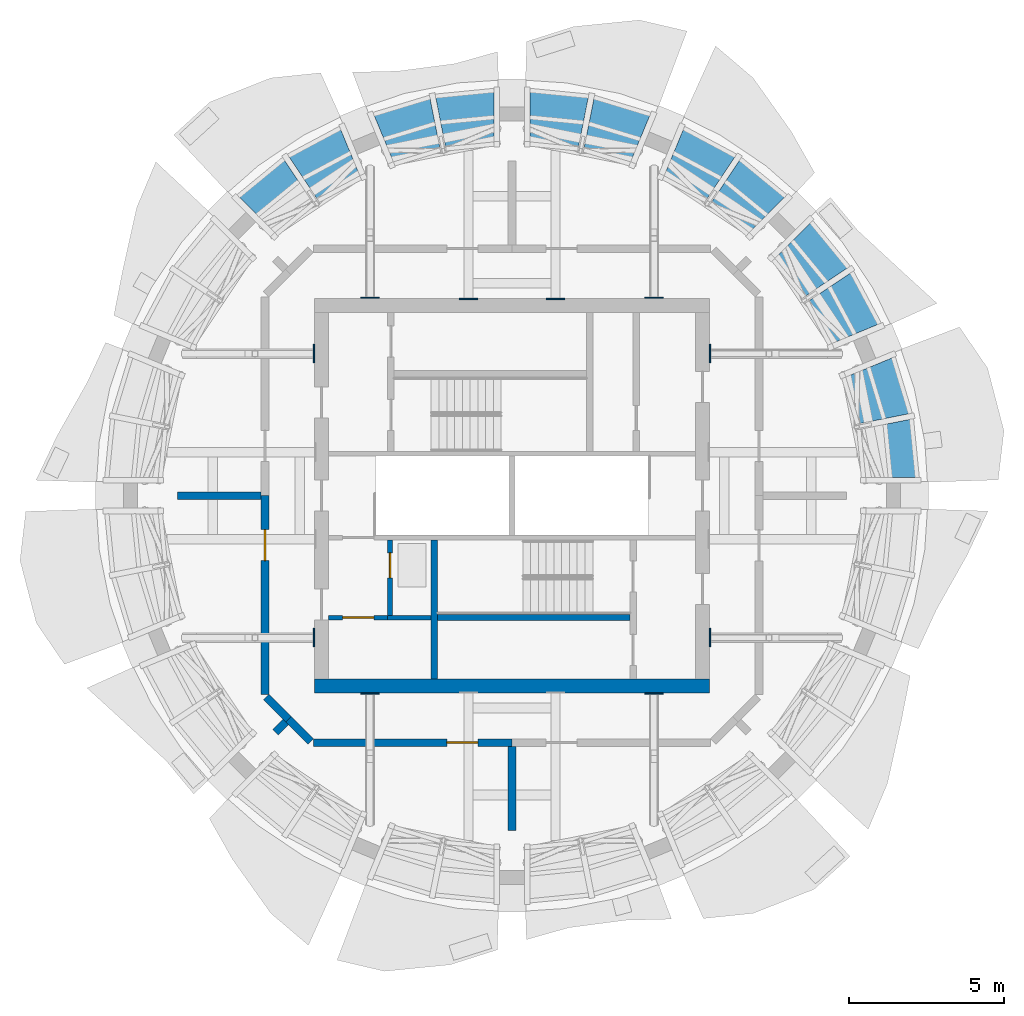
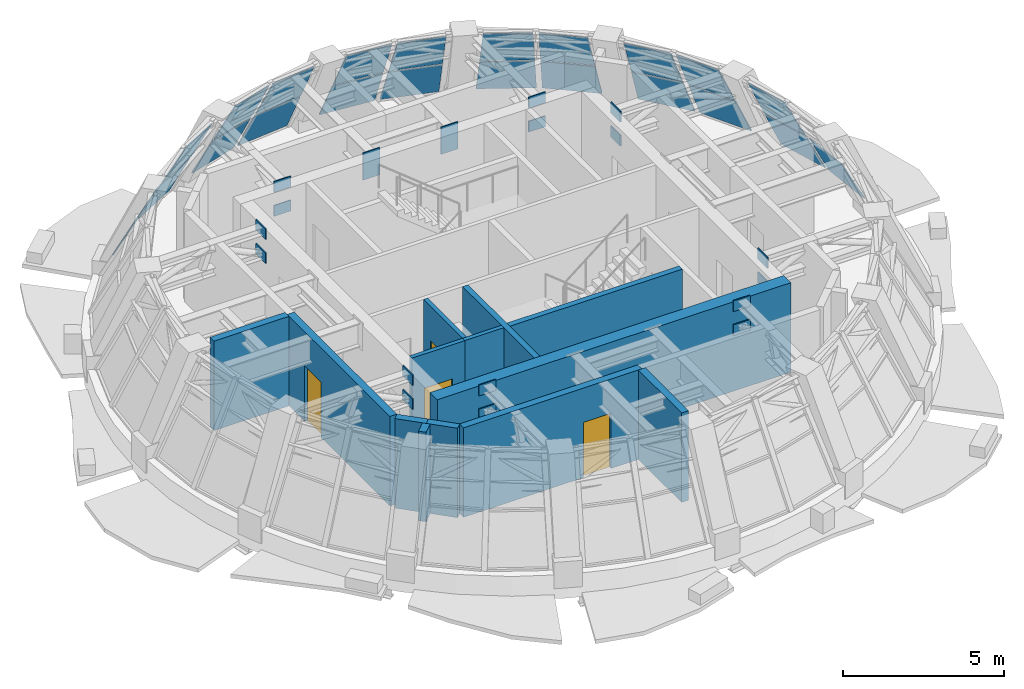
# One storey, part 8 of 12: 40 plates, 13 walls, 4 doors, 4 openings, 6 elements without a shape of their own.
"""IFC4 building model written with IfcOpenShell, lengths in metres."""

from ifc_helpers import new_model, si_unit, direction, frame, frame_2d, origin, origin_2d, place, context, subcontext, project, spatial, polyline, rectangle, outline, extrude, material, layer, layer_set, type_object, element, fill, aggregate, save


model = new_model("IFC4")

# Units and contexts
model_context = context("Model", 3, precision=1e-05, world=origin(), true_north=direction((0.0, 1.0)))
body_context = subcontext(model_context, "Body", "Model", "MODEL_VIEW")
ifc_project = project(units=[si_unit("LENGTHUNIT", "METRE"), si_unit("AREAUNIT", "SQUARE_METRE"), si_unit("VOLUMEUNIT", "CUBIC_METRE"), si_unit("PLANEANGLEUNIT", "RADIAN"), si_unit("MASSUNIT", "GRAM", prefix="KILO")], contexts=[model_context])

# Site, building, storey
site_placement = place(None, origin())
site = spatial("IfcSite", under=ifc_project, at=site_placement, CompositionType="ELEMENT")
building_placement = place(site_placement, origin())
building = spatial("IfcBuilding", under=site, at=building_placement, Name="Polderwave Tower", CompositionType="ELEMENT")
storey_placement = place(building_placement, frame((0.0, 0.0, 235.39990234375)))
storey = spatial("IfcBuildingStorey", under=building, at=storey_placement, Name="L64", CompositionType="ELEMENT", Elevation=235.39990234375)

# Plates
ifc_material_1 = material(Name="Steel S355", Category="steel")
ifc_layer_1 = layer(ifc_material_1, 0.0400390625)
ifc_layer_set_1 = layer_set([ifc_layer_1], Name="CAST-IN PLATE 40")
plate_type_1 = type_object("IfcPlateType", Name="CAST-IN PLATE 40", PredefinedType="SHEET", material=ifc_layer_set_1)
for number, where, z_axis, x_axis, name in (
    (1, (6.3701171875, 4.571044921875, 3.05029296875), (0.0, 0.0, 1.0), (1.0, 0.0, 0.0), "Cast-in plate CP-L64-01T 40"),
    (2, (6.3701171875, 4.571044921875, 2.14013671875), (0.0, 0.0, 1.0), (1.0, 0.0, 0.0), "Cast-in plate CP-L64-01B 40"),
    (3, (4.571044921875, 6.3701171875, 3.05029296875), (0.0, 0.0, 1.0), (0.0, 1.0, 0.0), "Cast-in plate CP-L64-03T 40"),
    (4, (4.571044921875, 6.3701171875, 2.14013671875), (0.0, 0.0, 1.0), (0.0, 1.0, 0.0), "Cast-in plate CP-L64-03B 40"),
    (5, (-4.571044921875, 6.3701171875, 3.05029296875), (0.0, 0.0, 1.0), (0.0, 1.0, 0.0), "Cast-in plate CP-L64-05T 40"),
    (6, (-4.571044921875, 6.3701171875, 2.14013671875), (0.0, 0.0, 1.0), (0.0, 1.0, 0.0), "Cast-in plate CP-L64-05B 40"),
    (7, (-6.3701171875, 4.571044921875, 3.05029296875), (0.0, 0.0, 1.0), (1.0, 0.0, 0.0), "Cast-in plate CP-L64-07T 40"),
    (8, (-6.3701171875, 4.571044921875, 2.14013671875), (0.0, 0.0, 1.0), (1.0, 0.0, 0.0), "Cast-in plate CP-L64-07B 40"),
    (9, (-6.3701171875, -4.571044921875, 3.05029296875), (0.0, 0.0, 1.0), (1.0, 0.0, 0.0), "Cast-in plate CP-L64-09T 40"),
    (10, (-6.3701171875, -4.571044921875, 2.14013671875), (0.0, 0.0, 1.0), (1.0, 0.0, 0.0), "Cast-in plate CP-L64-09B 40"),
    (11, (-4.571044921875, -6.3701171875, 3.05029296875), (0.0, 0.0, 1.0), (0.0, 1.0, 0.0), "Cast-in plate CP-L64-11T 40"),
    (12, (-4.571044921875, -6.3701171875, 2.14013671875), (0.0, 0.0, 1.0), (0.0, 1.0, 0.0), "Cast-in plate CP-L64-11B 40"),
    (13, (4.571044921875, -6.3701171875, 3.05029296875), (0.0, 0.0, 1.0), (0.0, 1.0, 0.0), "Cast-in plate CP-L64-13T 40"),
    (14, (4.571044921875, -6.3701171875, 2.14013671875), (0.0, 0.0, 1.0), (0.0, 1.0, 0.0), "Cast-in plate CP-L64-13B 40"),
    (15, (6.3701171875, -4.571044921875, 3.05029296875), (0.0, 0.0, 1.0), (1.0, 0.0, 0.0), "Cast-in plate CP-L64-15T 40"),
    (16, (6.3701171875, -4.571044921875, 2.14013671875), (0.0, 0.0, 1.0), (1.0, 0.0, 0.0), "Cast-in plate CP-L64-15B 40"),
):
    element("IfcPlate", number, at=place(storey_placement, frame(where, z_axis=z_axis, x_axis=x_axis)), inside=storey, type_object=plate_type_1, Name=name, PredefinedType="SHEET", context=body_context, shape_type="SweptSolid", body=[
        extrude(rectangle(XDim=0.0400390625, YDim=0.60009765625, at=origin_2d()), origin(), (0.0, 0.0, 1.0), 0.409912109375),
    ])
for number, where, z_axis, x_axis, name in (
    (17, (1.39990234375, 6.330078125, 2.43017578125), (0.0, 0.0, 1.0), (0.0, 1.0, 0.0), "Cast-in plate CP-DS-2-1 40"),
    (18, (-1.39990234375, 6.330078125, 2.43017578125), (0.0, 0.0, 1.0), (0.0, 1.0, 0.0), "Cast-in plate CP-DS-2-2 40"),
):
    element("IfcPlate", number, at=place(storey_placement, frame(where, z_axis=z_axis, x_axis=x_axis)), inside=storey, type_object=plate_type_1, Name=name, PredefinedType="SHEET", context=body_context, shape_type="SweptSolid", body=[
        extrude(rectangle(XDim=0.0400390625, YDim=0.60009765625, at=origin_2d()), origin(), (0.0, 0.0, 1.0), 1.030029296875),
    ])

# Curtain wall, plates
ifc_material_2 = material(Name="Aluminium 6063-T6 and glass", Category="aluminium")
curtain_wall_type = type_object("IfcCurtainWallType", Name="Crown facet glazing wall", PredefinedType="NOTDEFINED", material=ifc_material_2)
curtain_wall_1_placement = place(storey_placement, origin())
curtain_wall_1 = element("IfcCurtainWall", 19, at=curtain_wall_1_placement, inside=storey, type_object=curtain_wall_type, Name="CROWN CW6 L64 00", PredefinedType="NOTDEFINED")
ifc_material_3 = material(Name="Glass, low-e laminated double glazing", Category="glass")
ifc_layer_2 = layer(ifc_material_3, 0.0400390625)
ifc_layer_set_2 = layer_set([ifc_layer_2], Name="Crown facet glazing glass panel 40 mm")
plate_type_2 = type_object("IfcPlateType", Name="Crown facet glazing glass panel 40 mm", PredefinedType="CURTAIN_PANEL", material=ifc_layer_set_2)
plate_1_placement = place(storey_placement, frame((13.0205078125, 0.583984375, 0.080078125), z_axis=(0.883979196046, 0.086804251602, 0.459397216864), x_axis=(-0.097742044101, 0.995211782474, 2.8993647e-05)))
plate_1 = element("IfcPlate", 20, at=plate_1_placement, type_object=plate_type_2, Name="CROWN CW6 panel 1", PredefinedType="CURTAIN_PANEL", context=body_context, shape_type="SweptSolid", body=[
    extrude(outline(polyline([(0.0, 0.0), (1.88476742383816, 1.3877787807814457e-17), (1.8041472456302867, 1.7791206004409728), (0.08032028399320461, 1.778963530574836), (0.0, 0.0)])), origin(), (0.0, 0.0, -1.0), 0.0400390625),
])
plate_2_placement = place(storey_placement, frame((12.80029296875, 2.640380859375, 0.080078125), z_axis=(0.849834146821, 0.257843989798, 0.459672056821), x_axis=(-0.290327239265, 0.956927423496, -1.7367038e-05)))
plate_2 = element("IfcPlate", 21, at=plate_2_placement, type_object=plate_type_2, Name="CROWN CW6 panel 3", PredefinedType="CURTAIN_PANEL", context=body_context, shape_type="SweptSolid", body=[
    extrude(outline(polyline([(0.0, 0.0), (1.8838586696898987, -5.551115123125783e-17), (1.8035949338426587, 1.7789498352742303), (0.0804581299084255, 1.7791542042628368), (0.0, 0.0)])), origin(), (0.0, 0.0, -1.0), 0.0400390625),
])
plate_3_placement = place(storey_placement, frame((11.95361328125, 2.471923828125, 1.739990234375), z_axis=(0.849951494095, 0.257691708644, 0.459540467186), x_axis=(-0.290142041035, 0.956983592348, -1.64901e-07)))
plate_3 = element("IfcPlate", 22, at=plate_3_placement, type_object=plate_type_2, Name="CROWN CW6 panel 4", PredefinedType="CURTAIN_PANEL", context=body_context, shape_type="SweptSolid", body=[
    extrude(outline(polyline([(0.0, 0.0), (1.7148811492663976, 0.0), (1.6344154888629905, 1.7790533572400653), (0.08025621289179957, 1.7790527502893385), (0.0, 0.0)])), origin(), (0.0, 0.0, -1.0), 0.0400390625),
])
aggregate(curtain_wall_1, [plate_1, plate_2, plate_3])

curtain_wall_2_placement = place(storey_placement, origin())
curtain_wall_2 = element("IfcCurtainWall", 23, at=curtain_wall_2_placement, inside=storey, type_object=curtain_wall_type, Name="CROWN CW6 L64 01", PredefinedType="NOTDEFINED")
plate_4_placement = place(storey_placement, frame((11.806396484375, 5.522216796875, 0.080078125), z_axis=(0.783326056023, 0.418707429209, 0.459439200201), x_axis=(-0.4714053119, 0.881916680819, -2.181884e-06)))
plate_4 = element("IfcPlate", 24, at=plate_4_placement, type_object=plate_type_2, Name="CROWN CW6 panel 1", PredefinedType="CURTAIN_PANEL", context=body_context, shape_type="SweptSolid", body=[
    extrude(outline(polyline([(0.0, 0.0), (1.8846515363826488, 0.0), (1.8041349982427501, 1.7789525519547347), (0.08058760254317152, 1.7789436884205614), (0.0, 0.0)])), origin(), (0.0, 0.0, -1.0), 0.0400390625),
])
plate_5_placement = place(storey_placement, frame((11.009033203125, 5.192138671875, 1.739990234375), z_axis=(0.783289613539, 0.418834323299, 0.459385666895), x_axis=(-0.471532714121, 0.881848569483, -3.856099e-06)))
plate_5 = element("IfcPlate", 25, at=plate_5_placement, type_object=plate_type_2, Name="CROWN CW6 panel 2", PredefinedType="CURTAIN_PANEL", context=body_context, shape_type="SweptSolid", body=[
    extrude(outline(polyline([(0.0, 0.0), (1.7153617232417329, 0.0), (1.6349606159429435, 1.7791746229543697), (0.08091832481942067, 1.7788855696995238), (0.0, 0.0)])), origin(), (0.0, 0.0, -1.0), 0.0400390625),
])
plate_6_placement = place(storey_placement, frame((10.815673828125, 7.33740234375, 0.080078125), z_axis=(0.686398662579, 0.563593472313, 0.459585981048), x_axis=(-0.634569207591, 0.772866042559, -3.2205409e-05)))
plate_6 = element("IfcPlate", 26, at=plate_6_placement, type_object=plate_type_2, Name="CROWN CW6 panel 3", PredefinedType="CURTAIN_PANEL", context=body_context, shape_type="SweptSolid", body=[
    extrude(outline(polyline([(0.0, 0.0), (1.884187342147213, -1.1102230246251565e-16), (1.8037784308601756, 1.7791656388283776), (0.08076893942596736, 1.7790348349818563), (0.0, 0.0)])), origin(), (0.0, 0.0, -1.0), 0.0400390625),
])
plate_7_placement = place(storey_placement, frame((10.097900390625, 6.85791015625, 1.739990234375), z_axis=(0.686391961849, 0.563601634084, 0.459585979734), x_axis=(-0.634577034153, 0.772859616268, -3.5612988e-05)))
plate_7 = element("IfcPlate", 27, at=plate_7_placement, type_object=plate_type_2, Name="CROWN CW6 panel 4", PredefinedType="CURTAIN_PANEL", context=body_context, shape_type="SweptSolid", body=[
    extrude(outline(polyline([(0.0, 0.0), (1.7148839594572038, 0.0), (1.6344779456166028, 1.779165769711965), (0.08077183386171753, 1.779034703507517), (0.0, 0.0)])), origin(), (0.0, 0.0, -1.0), 0.0400390625),
])
aggregate(curtain_wall_2, [plate_4, plate_5, plate_6, plate_7])

curtain_wall_3_placement = place(storey_placement, origin())
curtain_wall_3 = element("IfcCurtainWall", 28, at=curtain_wall_3_placement, inside=storey, type_object=curtain_wall_type, Name="CROWN CW6 L64 02", PredefinedType="NOTDEFINED")
plate_8_placement = place(storey_placement, frame((8.793701171875, 9.6201171875, 0.080078125), z_axis=(0.563593472313, 0.686398662579, 0.459585981048), x_axis=(-0.772866042559, 0.634569207591, 3.2205409e-05)))
plate_8 = element("IfcPlate", 29, at=plate_8_placement, type_object=plate_type_2, Name="CROWN CW6 panel 1", PredefinedType="CURTAIN_PANEL", context=body_context, shape_type="SweptSolid", body=[
    extrude(outline(polyline([(0.0, 0.0), (1.884187342147213, 1.1102230246251565e-16), (1.8034184027212457, 1.7790348349818563), (0.08040891128703725, 1.7791656388283779), (0.0, 0.0)])), origin(), (0.0, 0.0, -1.0), 0.0400390625),
])
plate_9_placement = place(storey_placement, frame((8.183349609375, 9.009765625, 1.739990234375), z_axis=(0.563601634084, 0.686391961849, 0.459585979734), x_axis=(-0.772859616268, 0.634577034153, 3.5612988e-05)))
plate_9 = element("IfcPlate", 30, at=plate_9_placement, type_object=plate_type_2, Name="CROWN CW6 panel 2", PredefinedType="CURTAIN_PANEL", context=body_context, shape_type="SweptSolid", body=[
    extrude(outline(polyline([(0.0, 0.0), (1.7148839594572038, 0.0), (1.634112125595486, 1.779034703507517), (0.08040601384060099, 1.779165769711965), (0.0, 0.0)])), origin(), (0.0, 0.0, -1.0), 0.0400390625),
])
plate_10_placement = place(storey_placement, frame((7.184326171875, 10.91796875, 0.080078125), z_axis=(0.418649889511, 0.783284372409, 0.459562685553), x_axis=(-0.881929699563, 0.471380955154, -1.2107912e-05)))
plate_10 = element("IfcPlate", 31, at=plate_10_placement, type_object=plate_type_2, Name="CROWN CW6 panel 3", PredefinedType="CURTAIN_PANEL", context=body_context, shape_type="SweptSolid", body=[
    extrude(outline(polyline([(0.0, 0.0), (1.8846515357497926, 5.551115123125783e-17), (1.8039488461659687, 1.778825787119907), (0.0804014486219184, 1.779051485393799), (0.0, 0.0)])), origin(), (0.0, 0.0, -1.0), 0.0400390625),
])
plate_11_placement = place(storey_placement, frame((6.704833984375, 10.2001953125, 1.739990234375), z_axis=(0.41880064982, 0.783220217637, 0.459534662887), x_axis=(-0.881847302101, 0.471535084325, 5.24834e-06)))
plate_11 = element("IfcPlate", 32, at=plate_11_placement, type_object=plate_type_2, Name="CROWN CW6 panel 4", PredefinedType="CURTAIN_PANEL", context=body_context, shape_type="SweptSolid", body=[
    extrude(outline(polyline([(0.0, 0.0), (1.7153617231902898, -5.551115123125783e-17), (1.6345435757042492, 1.7790373793332153), (0.08028598851199208, 1.7790567002635866), (0.0, 0.0)])), origin(), (0.0, 0.0, -1.0), 0.0400390625),
])
aggregate(curtain_wall_3, [plate_8, plate_9, plate_10, plate_11])

curtain_wall_4_placement = place(storey_placement, origin())
curtain_wall_4 = element("IfcCurtainWall", 33, at=curtain_wall_4_placement, inside=storey, type_object=curtain_wall_type, Name="CROWN CW6 L64 03", PredefinedType="NOTDEFINED")
plate_12_placement = place(storey_placement, frame((4.443115234375, 12.25341796875, 0.080078125), z_axis=(0.25783398541, 0.849908343607, 0.459540469856), x_axis=(-0.956935445082, 0.290300799063, 3.064597e-06)))
plate_12 = element("IfcPlate", 34, at=plate_12_placement, type_object=plate_type_2, Name="CROWN CW6 panel 1", PredefinedType="CURTAIN_PANEL", context=body_context, shape_type="SweptSolid", body=[
    extrude(outline(polyline([(0.0, 0.0), (1.883858670992548, 2.7755575615628914e-17), (1.8034714113692176, 1.7790468336591347), (0.08033461123179575, 1.7790592796453093), (0.0, 0.0)])), origin(), (0.0, 0.0, -1.0), 0.0400390625),
])
plate_13_placement = place(storey_placement, frame((4.113037109375, 11.4560546875, 1.739990234375), z_axis=(0.25781805234, 0.849964812061, 0.459444958778), x_axis=(-0.956953422647, 0.290241526966, 5.3940491e-05)))
plate_13 = element("IfcPlate", 35, at=plate_13_placement, type_object=plate_type_2, Name="CROWN CW6 panel 2", PredefinedType="CURTAIN_PANEL", context=body_context, shape_type="SweptSolid", body=[
    extrude(outline(polyline([(0.0, 0.0), (1.714881137447886, -2.7755575615628914e-17), (1.6344621444287317, 1.7791296982581255), (0.08046563732093255, 1.7790533468918674), (0.0, 0.0)])), origin(), (0.0, 0.0, -1.0), 0.0400390625),
])
plate_14_placement = place(storey_placement, frame((2.459716796875, 12.836181640625, 0.080078125), z_axis=(0.086795959004, 0.883894891291, 0.459560967284), x_axis=(-0.995211782647, 0.097742042329, -2.9007669e-05)))
plate_14 = element("IfcPlate", 36, at=plate_14_placement, type_object=plate_type_2, Name="CROWN CW6 panel 3", PredefinedType="CURTAIN_PANEL", context=body_context, shape_type="SweptSolid", body=[
    extrude(outline(polyline([(0.0, 0.0), (1.8847674238372056, -1.3877787807814457e-17), (1.8044232634215231, 1.7788583484237588), (0.08059630178165893, 1.7790153762987813), (0.0, 0.0)])), origin(), (0.0, 0.0, -1.0), 0.0400390625),
])
plate_15_placement = place(storey_placement, frame((2.29150390625, 11.989501953125, 1.739990234375), z_axis=(0.087019870387, 0.883870113035, 0.459566279705), x_axis=(-0.995187205863, 0.097991962437, -2.4164632e-05)))
plate_15 = element("IfcPlate", 37, at=plate_15_placement, type_object=plate_type_2, Name="CROWN CW6 panel 4", PredefinedType="CURTAIN_PANEL", context=body_context, shape_type="SweptSolid", body=[
    extrude(outline(polyline([(0.0, 0.0), (1.7157851025210837, -1.3877787807814457e-17), (1.635243275633983, 1.7788494112783537), (0.08064163201082405, 1.779035319229905), (0.0, 0.0)])), origin(), (0.0, 0.0, -1.0), 0.0400390625),
])
aggregate(curtain_wall_4, [plate_12, plate_13, plate_14, plate_15])

curtain_wall_5_placement = place(storey_placement, origin())
curtain_wall_5 = element("IfcCurtainWall", 38, at=curtain_wall_5_placement, inside=storey, type_object=curtain_wall_type, Name="CROWN CW6 L64 04", PredefinedType="NOTDEFINED")
plate_16_placement = place(storey_placement, frame((-0.583984375, 13.0205078125, 0.080078125), z_axis=(-0.086804251602, 0.883979196046, 0.459397216864), x_axis=(-0.995211782474, -0.097742044101, 2.8993647e-05)))
plate_16 = element("IfcPlate", 39, at=plate_16_placement, type_object=plate_type_2, Name="CROWN CW6 panel 1", PredefinedType="CURTAIN_PANEL", context=body_context, shape_type="SweptSolid", body=[
    extrude(outline(polyline([(0.0, 0.0), (1.88476742383816, 1.3877787807814457e-17), (1.8041472456302867, 1.7791206004409728), (0.08032028399320461, 1.778963530574836), (0.0, 0.0)])), origin(), (0.0, 0.0, -1.0), 0.0400390625),
])
plate_17_placement = place(storey_placement, frame((-0.583984375, 12.15771484375, 1.739990234375), z_axis=(-0.087028185763, 0.883954415034, 0.459402532671), x_axis=(-0.995187205388, -0.097991967269, 2.4151206e-05)))
plate_17 = element("IfcPlate", 40, at=plate_17_placement, type_object=plate_type_2, Name="CROWN CW6 panel 2", PredefinedType="CURTAIN_PANEL", context=body_context, shape_type="SweptSolid", body=[
    extrude(outline(polyline([(0.0, 0.0), (1.7157851025220294, 0.0), (1.635119535343941, 1.7791405389208705), (0.08051789172352956, 1.7789545992694515), (0.0, 0.0)])), origin(), (0.0, 0.0, -1.0), 0.0400390625),
])
plate_18_placement = place(storey_placement, frame((-2.640380859375, 12.80029296875, 0.080078125), z_axis=(-0.257843989798, 0.849834146821, 0.459672056821), x_axis=(-0.956927423496, -0.290327239265, -1.7367038e-05)))
plate_18 = element("IfcPlate", 41, at=plate_18_placement, type_object=plate_type_2, Name="CROWN CW6 panel 3", PredefinedType="CURTAIN_PANEL", context=body_context, shape_type="SweptSolid", body=[
    extrude(outline(polyline([(0.0, 0.0), (1.8838586696898987, -5.551115123125783e-17), (1.8035949338426587, 1.7789498352742303), (0.0804581299084255, 1.7791542042628368), (0.0, 0.0)])), origin(), (0.0, 0.0, -1.0), 0.0400390625),
])
plate_19_placement = place(storey_placement, frame((-2.471923828125, 11.95361328125, 1.739990234375), z_axis=(-0.257691708644, 0.849951494095, 0.459540467186), x_axis=(-0.956983592348, -0.290142041035, -1.64901e-07)))
plate_19 = element("IfcPlate", 42, at=plate_19_placement, type_object=plate_type_2, Name="CROWN CW6 panel 4", PredefinedType="CURTAIN_PANEL", context=body_context, shape_type="SweptSolid", body=[
    extrude(outline(polyline([(0.0, 0.0), (1.7148811492663976, 0.0), (1.6344154888629905, 1.7790533572400653), (0.08025621289179957, 1.7790527502893385), (0.0, 0.0)])), origin(), (0.0, 0.0, -1.0), 0.0400390625),
])
aggregate(curtain_wall_5, [plate_16, plate_17, plate_18, plate_19])

curtain_wall_6_placement = place(storey_placement, origin())
curtain_wall_6 = element("IfcCurtainWall", 43, at=curtain_wall_6_placement, inside=storey, type_object=curtain_wall_type, Name="CROWN CW6 L64 05", PredefinedType="NOTDEFINED")
plate_20_placement = place(storey_placement, frame((-5.522216796875, 11.806396484375, 0.080078125), z_axis=(-0.418707429209, 0.783326056023, 0.459439200201), x_axis=(-0.881916680819, -0.4714053119, -2.181884e-06)))
plate_20 = element("IfcPlate", 44, at=plate_20_placement, type_object=plate_type_2, Name="CROWN CW6 panel 1", PredefinedType="CURTAIN_PANEL", context=body_context, shape_type="SweptSolid", body=[
    extrude(outline(polyline([(0.0, 0.0), (1.8846515363826488, 0.0), (1.8041349982427501, 1.7789525519547347), (0.08058760254317152, 1.7789436884205614), (0.0, 0.0)])), origin(), (0.0, 0.0, -1.0), 0.0400390625),
])
plate_21_placement = place(storey_placement, frame((-5.192138671875, 11.009033203125, 1.739990234375), z_axis=(-0.418834323299, 0.783289613539, 0.459385666895), x_axis=(-0.881848569483, -0.471532714121, -3.856099e-06)))
plate_21 = element("IfcPlate", 45, at=plate_21_placement, type_object=plate_type_2, Name="CROWN CW6 panel 2", PredefinedType="CURTAIN_PANEL", context=body_context, shape_type="SweptSolid", body=[
    extrude(outline(polyline([(0.0, 0.0), (1.7153617232417329, 0.0), (1.6349606159429435, 1.7791746229543697), (0.08091832481942067, 1.7788855696995238), (0.0, 0.0)])), origin(), (0.0, 0.0, -1.0), 0.0400390625),
])
plate_22_placement = place(storey_placement, frame((-7.33740234375, 10.815673828125, 0.080078125), z_axis=(-0.563593472313, 0.686398662579, 0.459585981048), x_axis=(-0.772866042559, -0.634569207591, -3.2205409e-05)))
plate_22 = element("IfcPlate", 46, at=plate_22_placement, type_object=plate_type_2, Name="CROWN CW6 panel 3", PredefinedType="CURTAIN_PANEL", context=body_context, shape_type="SweptSolid", body=[
    extrude(outline(polyline([(0.0, 0.0), (1.884187342147213, -1.1102230246251565e-16), (1.8037784308601756, 1.7791656388283776), (0.08076893942596736, 1.7790348349818563), (0.0, 0.0)])), origin(), (0.0, 0.0, -1.0), 0.0400390625),
])
aggregate(curtain_wall_6, [plate_20, plate_21, plate_22])

# Wall
ifc_material_4 = material(Name="Concrete C60/75", Category="concrete")
ifc_layer_3 = layer(ifc_material_4, 0.449951171875)
ifc_layer_set_3 = layer_set([ifc_layer_3], Name="CORE WALL 450 C60/75")
wall_type_1 = type_object("IfcWallType", Name="CORE WALL 450 C60/75", PredefinedType="SHEAR", material=ifc_layer_set_3)
wall_1_placement = place(storey_placement, frame((-6.35009765625, -6.125, 0.0), z_axis=(0.0, 0.0, 1.0), x_axis=(1.0, 0.0, 0.0)))
element("IfcWall", 47, at=wall_1_placement, inside=storey, type_object=wall_type_1, Name="ST-CORE-L64-S", PredefinedType="SHEAR", context=body_context, shape_type="SweptSolid", body=[
    extrude(rectangle(XDim=12.7001953125, YDim=0.449951171875, at=frame_2d((6.35009765625, 0.0))), origin(), (0.0, 0.0, 1.0), 3.400146484375),
])

# Wall, opening, door
ifc_material_5 = material(Name="Gypsum board partition")
ifc_layer_4 = layer(ifc_material_5, 0.14990234375)
ifc_layer_set_4 = layer_set([ifc_layer_4], Name="Core room partition 150")
wall_type_2 = type_object("IfcWallType", Name="Core room partition 150", PredefinedType="PARTITIONING", material=ifc_layer_set_4)
wall_2_placement = place(storey_placement, frame((-3.925048828125, -4.0, 0.0), z_axis=(0.0, 0.0, 1.0), x_axis=(0.0, 1.0, 0.0)))
wall_2 = element("IfcWall", 48, at=wall_2_placement, inside=storey, type_object=wall_type_2, Name="L64 lift shaft west wall", PredefinedType="PARTITIONING", context=body_context, shape_type="SweptSolid", body=[
    extrude(rectangle(XDim=2.574951171875, YDim=0.14990234375, at=frame_2d((1.28759765625, 0.0))), origin(), (0.0, 0.0, 1.0), 3.400146484375),
])
opening_1_placement = place(wall_2_placement, frame((1.35498046875, 0.0, 0.0)))
opening_1 = element("IfcOpeningElement", 49, at=opening_1_placement, cuts=wall_2, Name="Opening L64-D01", PredefinedType="OPENING", context=body_context, shape_type="SweptSolid", body=[
    extrude(rectangle(XDim=0.800048828125, YDim=2.10009765625, at=frame_2d((0.39990234375, 1.050048828125))), frame((0.0, 0.0849609375, 0.0), z_axis=(0.0, -1.0, 0.0), x_axis=(1.0, 0.0, 0.0)), (0.0, 0.0, 1.0), 0.169921875),
])
ifc_material_6 = material(Name="Stainless steel", Category="steel")
door_type_1 = type_object("IfcDoorType", Name="Service lift landing door 800", OperationType="DOUBLE_DOOR_SLIDING", PredefinedType="DOOR", material=ifc_material_6)
door_1_placement = place(opening_1_placement, origin())
door_1 = element("IfcDoor", 50, at=door_1_placement, inside=storey, type_object=door_type_1, Name="Crown service lift CL1 landing door", OperationType="DOUBLE_DOOR_SLIDING", OverallHeight=2.10009765625, OverallWidth=0.800048828125, PredefinedType="DOOR", context=body_context, shape_type="SweptSolid", body=[
    extrude(rectangle(XDim=0.800048828125, YDim=2.10009765625, at=frame_2d((0.39990234375, 1.050048828125))), frame((0.0, 0.02490234375, 0.0), z_axis=(0.0, -1.0, 0.0), x_axis=(1.0, 0.0, 0.0)), (0.0, 0.0, 1.0), 0.050048828125),
])
fill(opening_1, door_1)

# Wall
wall_3_placement = place(storey_placement, frame((-4.0, -3.925048828125, 0.0), z_axis=(0.0, 0.0, 1.0), x_axis=(1.0, 0.0, 0.0)))
element("IfcWall", 51, at=wall_3_placement, inside=storey, type_object=wall_type_2, Name="L64 lift shaft south wall", PredefinedType="PARTITIONING", context=body_context, shape_type="SweptSolid", body=[
    extrude(rectangle(XDim=1.39990234375, YDim=0.14990234375, at=frame_2d((0.699951171875, 0.0))), origin(), (0.0, 0.0, 1.0), 3.400146484375),
])

# Wall, opening, door
wall_4_placement = place(storey_placement, frame((-5.89990234375, -3.925048828125, 0.0), z_axis=(0.0, 0.0, 1.0), x_axis=(1.0, 0.0, 0.0)))
wall_4 = element("IfcWall", 52, at=wall_4_placement, inside=storey, type_object=wall_type_2, Name="L64 lift lobby south wall", PredefinedType="PARTITIONING", context=body_context, shape_type="SweptSolid", body=[
    extrude(rectangle(XDim=1.89990234375, YDim=0.14990234375, at=frame_2d((0.949951171875, 0.0))), origin(), (0.0, 0.0, 1.0), 3.400146484375),
])
opening_2_placement = place(wall_4_placement, frame((0.449951171875, 0.0, 0.0)))
opening_2 = element("IfcOpeningElement", 53, at=opening_2_placement, cuts=wall_4, Name="Opening L64-D03", PredefinedType="OPENING", context=body_context, shape_type="SweptSolid", body=[
    extrude(rectangle(XDim=1.0, YDim=2.10009765625, at=frame_2d((0.5, 1.050048828125))), frame((0.0, 0.0849609375, 0.0), z_axis=(0.0, -1.0, 0.0), x_axis=(1.0, 0.0, 0.0)), (0.0, 0.0, 1.0), 0.169921875),
])
ifc_material_7 = material(Name="Timber door leaf", Category="wood")
door_type_2 = type_object("IfcDoorType", Name="Room door 1000", OperationType="NOTDEFINED", PredefinedType="DOOR", material=ifc_material_7)
door_2_placement = place(opening_2_placement, frame((1.0, 0.0, 0.0), z_axis=(0.0, 0.0, 1.0), x_axis=(-1.0, 0.0, 0.0)))
door_2 = element("IfcDoor", 54, at=door_2_placement, inside=storey, type_object=door_type_2, Name="Plant room door", OperationType="SINGLE_SWING_LEFT", OverallHeight=2.10009765625, OverallWidth=1.0, PredefinedType="DOOR", context=body_context, shape_type="SweptSolid", body=[
    extrude(rectangle(XDim=1.0, YDim=2.10009765625, at=frame_2d((0.5, 1.050048828125))), frame((0.0, 0.02490234375, 0.0), z_axis=(0.0, -1.0, 0.0), x_axis=(1.0, 0.0, 0.0)), (0.0, 0.0, 1.0), 0.050048828125),
])
fill(opening_2, door_2)

# Walls
ifc_material_8 = material(Name="Concrete C50/60", Category="concrete")
ifc_layer_5 = layer(ifc_material_8, 0.199951171875)
ifc_layer_set_5 = layer_set([ifc_layer_5], Name="Core web wall 200")
wall_type_3 = type_object("IfcWallType", Name="Core web wall 200", PredefinedType="SHEAR", material=ifc_layer_set_5)
wall_5_placement = place(storey_placement, frame((3.800048828125, -3.925048828125, 0.0), z_axis=(0.0, 0.0, 1.0), x_axis=(-1.0, 0.0, 0.0)))
element("IfcWall", 55, at=wall_5_placement, inside=storey, type_object=wall_type_3, Name="L64 S crown stair end wall", PredefinedType="SHEAR", context=body_context, shape_type="SweptSolid", body=[
    extrude(rectangle(XDim=6.199951171875, YDim=0.199951171875, at=frame_2d((3.10009765625, 0.0))), origin(), (0.0, 0.0, 1.0), 3.400146484375),
])
wall_6_placement = place(storey_placement, frame((-2.5, -1.425048828125, 0.0), z_axis=(0.0, 0.0, 1.0), x_axis=(0.0, -1.0, 0.0)))
element("IfcWall", 56, at=wall_6_placement, inside=storey, type_object=wall_type_3, Name="L64 S crown stair east wall", PredefinedType="SHEAR", context=body_context, shape_type="SweptSolid", body=[
    extrude(rectangle(XDim=4.474853515625, YDim=0.199951171875, at=frame_2d((2.2373046875, 0.0))), origin(), (0.0, 0.0, 1.0), 3.400146484375),
])

# Wall, opening, door
ifc_material_9 = material(Name="Fire-resisting board on steel studs, mineral wool", Category="steel")
ifc_layer_6 = layer(ifc_material_9, 0.25)
ifc_layer_set_6 = layer_set([ifc_layer_6], Name="Plant room wall 250 mm EI 120")
wall_type_4 = type_object("IfcWallType", Name="Plant room wall 250 mm EI 120", PredefinedType="PARTITIONING", material=ifc_layer_set_6)
wall_7_placement = place(storey_placement, frame((-7.949951171875, -6.395263671875, 0.0), z_axis=(0.0, 0.0, 1.0), x_axis=(0.0, 1.0, 0.0)))
wall_7 = element("IfcWall", 57, at=wall_7_placement, inside=storey, type_object=wall_type_4, Name="IN-L64-W011", PredefinedType="PARTITIONING", context=body_context, shape_type="SweptSolid", body=[
    extrude(rectangle(XDim=6.395263671875, YDim=0.25, at=frame_2d((3.19775390625, 0.0))), origin(), (0.0, 0.0, 1.0), 3.400146484375),
])
opening_3_placement = place(wall_7_placement, frame((4.300048828125, 0.0, 0.0)))
opening_3 = element("IfcOpeningElement", 58, at=opening_3_placement, cuts=wall_7, Name="Opening L64-D55", PredefinedType="OPENING", context=body_context, shape_type="SweptSolid", body=[
    extrude(rectangle(XDim=1.0, YDim=2.10009765625, at=frame_2d((0.5, 1.050048828125))), frame((0.0, 0.135009765625, 0.0), z_axis=(0.0, -1.0, 0.0), x_axis=(1.0, 0.0, 0.0)), (0.0, 0.0, 1.0), 0.27001953125),
])
ifc_material_10 = material(Name="Steel plant door leaf", Category="steel")
door_type_3 = type_object("IfcDoorType", Name="Plant door FD60 1000 x 2100 steel", OperationType="NOTDEFINED", PredefinedType="DOOR", material=ifc_material_10)
door_3_placement = place(opening_3_placement, origin())
door_3 = element("IfcDoor", 59, at=door_3_placement, inside=storey, type_object=door_type_3, Name="Door L64-D55", OperationType="SINGLE_SWING_RIGHT", OverallHeight=2.10009765625, OverallWidth=1.0, PredefinedType="DOOR", context=body_context, shape_type="SweptSolid", body=[
    extrude(rectangle(XDim=1.0, YDim=2.10009765625, at=frame_2d((0.5, 1.050048828125))), frame((0.0, 0.02490234375, 0.0), z_axis=(0.0, -1.0, 0.0), x_axis=(1.0, 0.0, 0.0)), (0.0, 0.0, 1.0), 0.050048828125),
])
fill(opening_3, door_3)

# Walls
for number, where, z_axis, x_axis, name in (
    (60, (-7.198486328125, -7.198486328125, 0.0), (0.0, 0.0, 1.0), (-0.707106781187, 0.707106781187, 0.0), "IN-L64-W012"),
    (61, (-6.483642578125, -7.913330078125, 0.0), (0.0, 0.0, 1.0), (-0.707106781187, 0.707106781187, 0.0), "IN-L64-W013"),
):
    element("IfcWall", number, at=place(storey_placement, frame(where, z_axis=z_axis, x_axis=x_axis)), inside=storey, type_object=wall_type_4, Name=name, PredefinedType="PARTITIONING", context=body_context, shape_type="SweptSolid", body=[
        extrude(rectangle(XDim=1.010986328125, YDim=0.25, at=frame_2d((0.50537109375, 0.0))), origin(), (0.0, 0.0, 1.0), 3.400146484375),
    ])

# Wall, opening, door
wall_8_placement = place(storey_placement, frame((0.0, -7.949951171875, 0.0), z_axis=(0.0, 0.0, 1.0), x_axis=(-1.0, 0.0, 0.0)))
wall_8 = element("IfcWall", 62, at=wall_8_placement, inside=storey, type_object=wall_type_4, Name="IN-L64-W014", PredefinedType="PARTITIONING", context=body_context, shape_type="SweptSolid", body=[
    extrude(rectangle(XDim=6.395263671875, YDim=0.25, at=frame_2d((3.19775390625, 0.0))), origin(), (0.0, 0.0, 1.0), 3.400146484375),
])
opening_4_placement = place(wall_8_placement, frame((1.10009765625, 0.0, 0.0)))
opening_4 = element("IfcOpeningElement", 63, at=opening_4_placement, cuts=wall_8, Name="Opening L64-D56", PredefinedType="OPENING", context=body_context, shape_type="SweptSolid", body=[
    extrude(rectangle(XDim=1.0, YDim=2.10009765625, at=frame_2d((0.5, 1.050048828125))), frame((0.0, 0.135009765625, 0.0), z_axis=(0.0, -1.0, 0.0), x_axis=(1.0, 0.0, 0.0)), (0.0, 0.0, 1.0), 0.27001953125),
])
door_4_placement = place(opening_4_placement, origin())
door_4 = element("IfcDoor", 64, at=door_4_placement, inside=storey, type_object=door_type_3, Name="Door L64-D56", OperationType="SINGLE_SWING_LEFT", OverallHeight=2.10009765625, OverallWidth=1.0, PredefinedType="DOOR", context=body_context, shape_type="SweptSolid", body=[
    extrude(rectangle(XDim=1.0, YDim=2.10009765625, at=frame_2d((0.5, 1.050048828125))), frame((0.0, 0.02490234375, 0.0), z_axis=(0.0, -1.0, 0.0), x_axis=(1.0, 0.0, 0.0)), (0.0, 0.0, 1.0), 0.050048828125),
])
fill(opening_4, door_4)

# Walls
wall_9_placement = place(storey_placement, frame((-8.074951171875, 0.0, 0.0), z_axis=(0.0, 0.0, 1.0), x_axis=(-1.0, 0.0, 0.0)))
element("IfcWall", 65, at=wall_9_placement, inside=storey, type_object=wall_type_4, Name="IN-L64-W021", PredefinedType="PARTITIONING", context=body_context, shape_type="SweptSolid", body=[
    extrude(rectangle(XDim=2.695068359375, YDim=0.25, at=frame_2d((1.34765625, 0.0))), origin(), (0.0, 0.0, 1.0), 3.400146484375),
])
wall_10_placement = place(storey_placement, frame((-7.286865234375, -7.286865234375, 0.0), z_axis=(0.0, 0.0, 1.0), x_axis=(-0.707106781187, -0.707106781187, 0.0)))
element("IfcWall", 66, at=wall_10_placement, inside=storey, type_object=wall_type_4, Name="IN-L64-W022", PredefinedType="PARTITIONING", context=body_context, shape_type="SweptSolid", body=[
    extrude(rectangle(XDim=0.46484375, YDim=0.25, at=frame_2d((0.232421875, 0.0))), origin(), (0.0, 0.0, 1.0), 3.400146484375),
])
wall_11_placement = place(storey_placement, frame((0.0, -8.074951171875, 0.0), z_axis=(0.0, 0.0, 1.0), x_axis=(0.0, -1.0, 0.0)))
element("IfcWall", 67, at=wall_11_placement, inside=storey, type_object=wall_type_4, Name="IN-L64-W023", PredefinedType="PARTITIONING", context=body_context, shape_type="SweptSolid", body=[
    extrude(rectangle(XDim=2.695068359375, YDim=0.25, at=frame_2d((1.34765625, 0.0))), origin(), (0.0, 0.0, 1.0), 3.400146484375),
])

save(model, "model.ifc")
